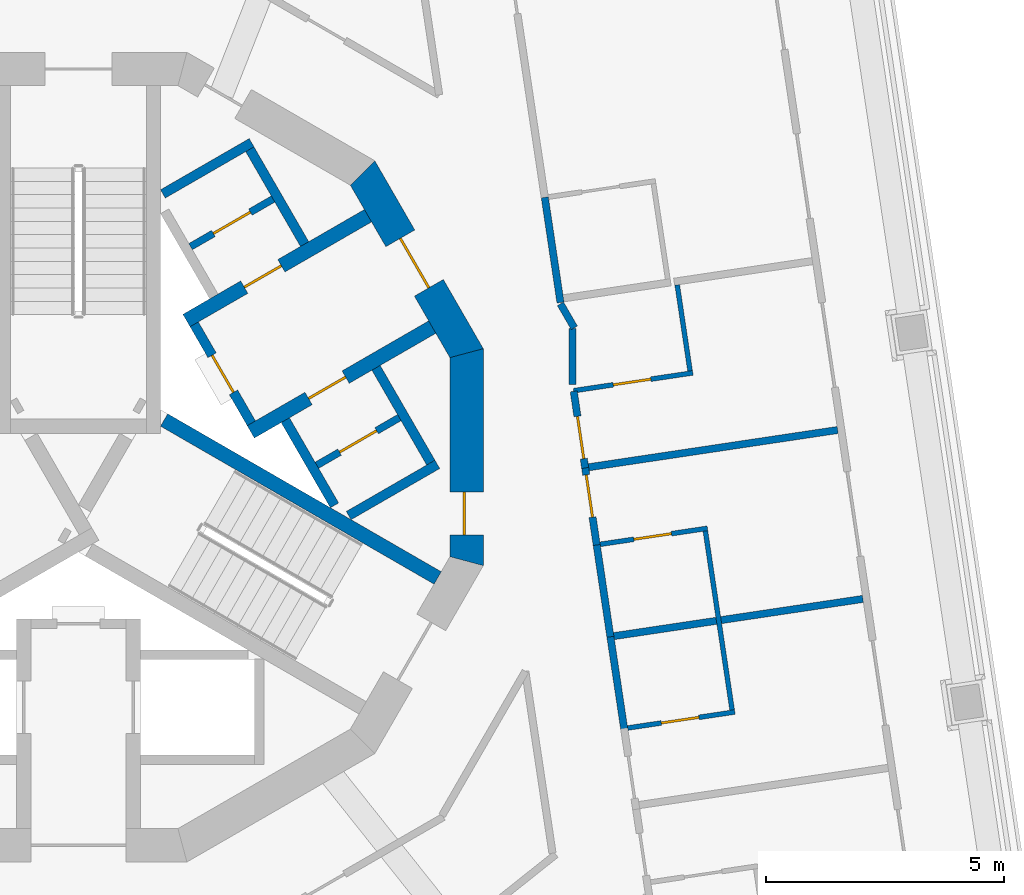
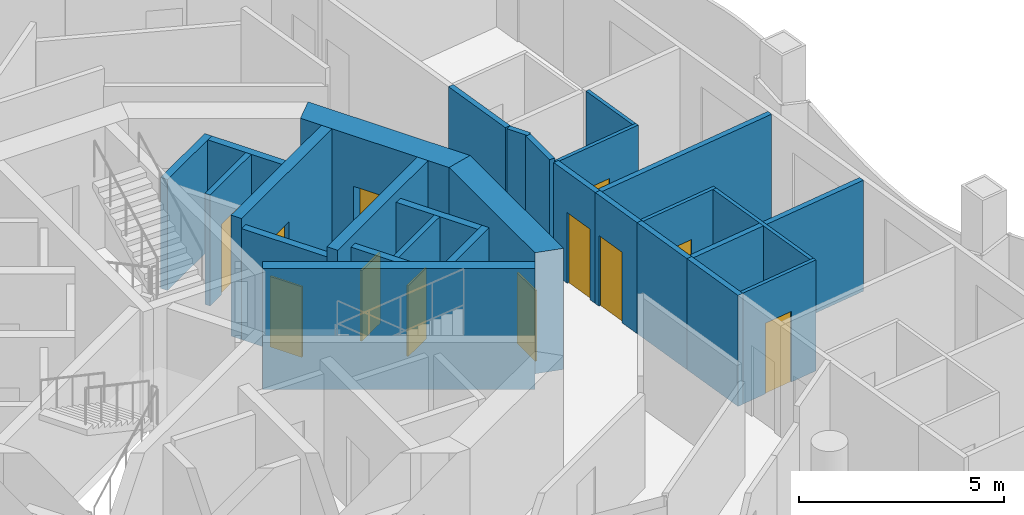
# One storey, part 6 of 16: 27 walls, 12 doors, 12 openings.
"""IFC4 building model written with IfcOpenShell, lengths in metres."""

from ifc_helpers import new_model, si_unit, direction, frame, frame_2d, origin, place, context, subcontext, project, spatial, polyline, rectangle, outline, extrude, material, layer, layer_set, type_object, element, fill, save


model = new_model("IFC4")

# Units and contexts
model_context = context("Model", 3, precision=1e-05, world=origin(), true_north=direction((0.0, 1.0)))
body_context = subcontext(model_context, "Body", "Model", "MODEL_VIEW")
ifc_project = project(units=[si_unit("LENGTHUNIT", "METRE"), si_unit("AREAUNIT", "SQUARE_METRE"), si_unit("VOLUMEUNIT", "CUBIC_METRE"), si_unit("PLANEANGLEUNIT", "RADIAN"), si_unit("MASSUNIT", "GRAM", prefix="KILO")], contexts=[model_context])

# Site, building, storey
site_placement = place(None, origin())
site = spatial("IfcSite", under=ifc_project, at=site_placement, CompositionType="ELEMENT")
building_placement = place(site_placement, origin())
building = spatial("IfcBuilding", under=site, at=building_placement, Name="Trine Commons Tower", CompositionType="ELEMENT")
storey_placement = place(building_placement, frame((0.0, 0.0, 219.60009765625)))
storey = spatial("IfcBuildingStorey", under=building, at=storey_placement, Name="L57", CompositionType="ELEMENT", Elevation=219.60009765625)

# Wall, opening, door
ifc_material_1 = material(Name="Plasterboard partition on steel studs", Category="steel")
ifc_layer_1 = layer(ifc_material_1, 0.14990234375)
ifc_layer_set_1 = layer_set([ifc_layer_1], Name="Plasterboard partition on steel studs")
wall_type_1 = type_object("IfcWallType", Name="Core room partition 150 mm, EI 60", PredefinedType="PARTITIONING", material=ifc_layer_set_1)
wall_1_placement = place(storey_placement, frame((82.35498046875, 66.919921875, 0.0), z_axis=(0.0, 0.0, 1.0), x_axis=(0.866010750942, 0.50002537861, 0.0)))
wall_1 = element("IfcWall", 1, at=wall_1_placement, inside=storey, type_object=wall_type_1, Name="Core room partition L57", PredefinedType="PARTITIONING", context=body_context, shape_type="SweptSolid", body=[
    extrude(rectangle(XDim=2.0, YDim=0.14990234375, at=frame_2d((1.0, 0.0))), origin(), (0.0, 0.0, 1.0), 3.2998046875),
])
opening_1_placement = place(wall_1_placement, frame((0.550537109375, 0.0, 0.0)))
opening_1 = element("IfcOpeningElement", 2, at=opening_1_placement, cuts=wall_1, Name="Opening K15.11", PredefinedType="OPENING", context=body_context, shape_type="SweptSolid", body=[
    extrude(rectangle(XDim=0.89990234375, YDim=2.10009765625, at=frame_2d((0.449951171875, 1.050048828125))), frame((0.0, 0.0849609375, 0.0), z_axis=(0.0, -1.0, 0.0), x_axis=(1.0, 0.0, 0.0)), (0.0, 0.0, 1.0), 0.169921875),
])
ifc_material_2 = material(Name="Steel door leaf, fire-rated", Category="steel")
door_type_1 = type_object("IfcDoorType", Name="Core room door, single leaf 900 x 2100, FD30S", OperationType="SINGLE_SWING_LEFT", PredefinedType="DOOR", material=ifc_material_2)
door_1_placement = place(opening_1_placement, origin())
door_1 = element("IfcDoor", 3, at=door_1_placement, inside=storey, type_object=door_type_1, Name="Door to Pantry L57", OperationType="SINGLE_SWING_RIGHT", OverallHeight=2.10009765625, OverallWidth=0.89990234375, PredefinedType="DOOR", context=body_context, shape_type="SweptSolid", body=[
    extrude(rectangle(XDim=0.89990234375, YDim=2.10009765625, at=frame_2d((0.449951171875, 1.050048828125))), frame((0.0, 0.02490234375, 0.0), z_axis=(0.0, -1.0, 0.0), x_axis=(1.0, 0.0, 0.0)), (0.0, 0.0, 1.0), 0.050048828125),
])
fill(opening_1, door_1)

wall_2_placement = place(storey_placement, frame((85.006103515625, 62.330078125, 0.0), z_axis=(0.0, 0.0, 1.0), x_axis=(0.866010750942, 0.50002537861, 0.0)))
wall_2 = element("IfcWall", 4, at=wall_2_placement, inside=storey, type_object=wall_type_1, Name="Core room partition L57", PredefinedType="PARTITIONING", context=body_context, shape_type="SweptSolid", body=[
    extrude(rectangle(XDim=2.0, YDim=0.14990234375, at=frame_2d((1.0, 0.0))), origin(), (0.0, 0.0, 1.0), 3.2998046875),
])
opening_2_placement = place(wall_2_placement, frame((0.549560546875, 0.0, 0.0)))
opening_2 = element("IfcOpeningElement", 5, at=opening_2_placement, cuts=wall_2, Name="Opening K15.13", PredefinedType="OPENING", context=body_context, shape_type="SweptSolid", body=[
    extrude(rectangle(XDim=0.89990234375, YDim=2.10009765625, at=frame_2d((0.449951171875, 1.050048828125))), frame((0.0, 0.0849609375, 0.0), z_axis=(0.0, -1.0, 0.0), x_axis=(1.0, 0.0, 0.0)), (0.0, 0.0, 1.0), 0.169921875),
])
door_2_placement = place(opening_2_placement, frame((0.89990234375, 0.0, 0.0), z_axis=(0.0, 0.0, 1.0), x_axis=(-1.0, 0.0, 0.0)))
door_2 = element("IfcDoor", 6, at=door_2_placement, inside=storey, type_object=door_type_1, Name="Door to Parcel store L57", OperationType="SINGLE_SWING_LEFT", OverallHeight=2.10009765625, OverallWidth=0.89990234375, PredefinedType="DOOR", context=body_context, shape_type="SweptSolid", body=[
    extrude(rectangle(XDim=0.89990234375, YDim=2.10009765625, at=frame_2d((0.449951171875, 1.050048828125))), frame((0.0, 0.02490234375, 0.0), z_axis=(0.0, -1.0, 0.0), x_axis=(1.0, 0.0, 0.0)), (0.0, 0.0, 1.0), 0.050048828125),
])
fill(opening_2, door_2)

ifc_material_3 = material(Name="Fire-rated gypsum shaft wall system")
ifc_layer_2 = layer(ifc_material_3, 0.199951171875)
ifc_layer_set_2 = layer_set([ifc_layer_2], Name="Fire-rated gypsum shaft wall system")
wall_type_2 = type_object("IfcWallType", Name="Lobby end wall 200 mm, EI 120", PredefinedType="PARTITIONING", material=ifc_layer_set_2)
wall_3_placement = place(storey_placement, frame((83.631103515625, 63.2109375, 0.0), z_axis=(0.0, 0.0, 1.0), x_axis=(-0.50012165622, 0.865955154139, 0.0)))
wall_3 = element("IfcWall", 7, at=wall_3_placement, inside=storey, type_object=wall_type_2, Name="Lobby end wall L57", PredefinedType="PARTITIONING", context=body_context, shape_type="SweptSolid", body=[
    extrude(rectangle(XDim=2.39990234375, YDim=0.199951171875, at=frame_2d((1.199951171875, 0.0))), origin(), (0.0, 0.0, 1.0), 3.2998046875),
])
opening_3_placement = place(wall_3_placement, frame((0.749755859375, 0.0, 0.0)))
opening_3 = element("IfcOpeningElement", 8, at=opening_3_placement, cuts=wall_3, Name="Opening K15.05", PredefinedType="OPENING", context=body_context, shape_type="SweptSolid", body=[
    extrude(rectangle(XDim=0.89990234375, YDim=2.10009765625, at=frame_2d((0.449951171875, 1.050048828125))), frame((0.0, 0.10986328125, 0.0), z_axis=(0.0, -1.0, 0.0), x_axis=(1.0, 0.0, 0.0)), (0.0, 0.0, 1.0), 0.219970703125),
])
door_type_2 = type_object("IfcDoorType", Name="Riser access door, single leaf 900 x 2100, FD60", OperationType="SINGLE_SWING_LEFT", PredefinedType="DOOR", material=ifc_material_2)
door_3_placement = place(opening_3_placement, frame((0.89990234375, 0.0, 0.0), z_axis=(0.0, 0.0, 1.0), x_axis=(-1.0, 0.0, 0.0)))
door_3 = element("IfcDoor", 9, at=door_3_placement, inside=storey, type_object=door_type_2, Name="Riser door, Electrical riser L57", OperationType="SINGLE_SWING_LEFT", OverallHeight=2.10009765625, OverallWidth=0.89990234375, PredefinedType="DOOR", context=body_context, shape_type="SweptSolid", body=[
    extrude(rectangle(XDim=0.89990234375, YDim=2.10009765625, at=frame_2d((0.449951171875, 1.050048828125))), frame((0.0, 0.02490234375, 0.0), z_axis=(0.0, -1.0, 0.0), x_axis=(1.0, 0.0, 0.0)), (0.0, 0.0, 1.0), 0.050048828125),
])
fill(opening_3, door_3)

ifc_material_4 = material(Name="Concrete C60/75", Category="concrete")
ifc_layer_3 = layer(ifc_material_4, 0.300048828125)
ifc_layer_set_3 = layer_set([ifc_layer_3], Name="Concrete C60/75")
wall_type_3 = type_object("IfcWallType", Name="RC shear wall 300 mm, C60/75", PredefinedType="SHEAR", material=ifc_layer_set_3)
wall_4_placement = place(storey_placement, frame((82.26904296875, 65.368896484375, 0.0), z_axis=(0.0, 0.0, 1.0), x_axis=(0.866035918664, 0.499981787252, 0.0)))
wall_4 = element("IfcWall", 10, at=wall_4_placement, inside=storey, type_object=wall_type_3, Name="Core cross wall SWC-05 L57", PredefinedType="SHEAR", context=body_context, shape_type="SweptSolid", body=[
    extrude(rectangle(XDim=4.400634765625, YDim=0.300048828125, at=frame_2d((2.2001953125, 0.0))), origin(), (0.0, 0.0, 1.0), 3.599853515625),
])
opening_4_placement = place(wall_4_placement, frame((1.400390625, 0.0, 0.0)))
opening_4 = element("IfcOpeningElement", 11, at=opening_4_placement, cuts=wall_4, Name="Opening K15.10", PredefinedType="OPENING", context=body_context, shape_type="SweptSolid", body=[
    extrude(rectangle(XDim=0.89990234375, YDim=2.10009765625, at=frame_2d((0.449951171875, 1.050048828125))), frame((0.0, 0.159912109375, 0.0), z_axis=(0.0, -1.0, 0.0), x_axis=(1.0, 0.0, 0.0)), (0.0, 0.0, 1.0), 0.320068359375),
])
door_4_placement = place(opening_4_placement, origin())
door_4 = element("IfcDoor", 12, at=door_4_placement, inside=storey, type_object=door_type_1, Name="Door to Linen store L57", OperationType="SINGLE_SWING_LEFT", OverallHeight=2.10009765625, OverallWidth=0.89990234375, PredefinedType="DOOR", context=body_context, shape_type="SweptSolid", body=[
    extrude(rectangle(XDim=0.89990234375, YDim=2.10009765625, at=frame_2d((0.449951171875, 1.050048828125))), frame((0.0, 0.02490234375, 0.0), z_axis=(0.0, -1.0, 0.0), x_axis=(1.0, 0.0, 0.0)), (0.0, 0.0, 1.0), 0.050048828125),
])
fill(opening_4, door_4)

wall_5_placement = place(storey_placement, frame((83.618896484375, 63.031005859375, 0.0), z_axis=(0.0, 0.0, 1.0), x_axis=(0.866059941101, 0.499940174841, 0.0)))
wall_5 = element("IfcWall", 13, at=wall_5_placement, inside=storey, type_object=wall_type_3, Name="Core cross wall SWC-06 L57", PredefinedType="SHEAR", context=body_context, shape_type="SweptSolid", body=[
    extrude(rectangle(XDim=4.400390625, YDim=0.300048828125, at=frame_2d((2.2001953125, 0.0))), origin(), (0.0, 0.0, 1.0), 3.599853515625),
])
opening_5_placement = place(wall_5_placement, frame((1.400390625, 0.0, 0.0)))
opening_5 = element("IfcOpeningElement", 14, at=opening_5_placement, cuts=wall_5, Name="Opening K15.12", PredefinedType="OPENING", context=body_context, shape_type="SweptSolid", body=[
    extrude(rectangle(XDim=0.89990234375, YDim=2.10009765625, at=frame_2d((0.449951171875, 1.050048828125))), frame((0.0, 0.159912109375, 0.0), z_axis=(0.0, -1.0, 0.0), x_axis=(1.0, 0.0, 0.0)), (0.0, 0.0, 1.0), 0.320068359375),
])
door_5_placement = place(opening_5_placement, frame((0.89990234375, 0.0, 0.0), z_axis=(0.0, 0.0, 1.0), x_axis=(-1.0, 0.0, 0.0)))
door_5 = element("IfcDoor", 15, at=door_5_placement, inside=storey, type_object=door_type_1, Name="Door to Comms room L57", OperationType="SINGLE_SWING_LEFT", OverallHeight=2.10009765625, OverallWidth=0.89990234375, PredefinedType="DOOR", context=body_context, shape_type="SweptSolid", body=[
    extrude(rectangle(XDim=0.89990234375, YDim=2.10009765625, at=frame_2d((0.449951171875, 1.050048828125))), frame((0.0, 0.02490234375, 0.0), z_axis=(0.0, -1.0, 0.0), x_axis=(1.0, 0.0, 0.0)), (0.0, 0.0, 1.0), 0.050048828125),
])
fill(opening_5, door_5)

# Wall
wall_6_placement = place(storey_placement, frame((81.800048828125, 63.280029296875, 0.0), z_axis=(0.0, 0.0, 1.0), x_axis=(0.866009627307, -0.500027324665, 0.0)))
element("IfcWall", 16, at=wall_6_placement, inside=storey, type_object=wall_type_3, Name="Core cross wall SWC-18 L57", PredefinedType="SHEAR", context=body_context, shape_type="SweptSolid", body=[
    extrude(rectangle(XDim=6.631591796875, YDim=0.300048828125, at=frame_2d((3.31591796875, 0.0))), origin(), (0.0, 0.0, 1.0), 3.599853515625),
])

# Wall, opening, door
ifc_layer_4 = layer(ifc_material_4, 0.699951171875)
ifc_layer_set_4 = layer_set([ifc_layer_4], Name="Concrete C60/75")
wall_type_4 = type_object("IfcWallType", Name="RC shear wall 700 mm, C60/75", PredefinedType="SHEAR", material=ifc_layer_set_4)
wall_7_placement = place(storey_placement, frame((88.150146484375, 60.222412109375, 0.0), z_axis=(0.0, 0.0, 1.0), x_axis=(0.0, 1.0, 0.0)))
wall_7 = element("IfcWall", 17, at=wall_7_placement, inside=storey, type_object=wall_type_4, Name="Core wall CWF-01 L57", PredefinedType="SHEAR", context=body_context, shape_type="SweptSolid", body=[
    extrude(outline(polyline([(0.0, -0.35009765625), (4.55517578125, -0.35009765625), (4.36767578125, 0.35009765625), (0.1875, 0.35009765625), (0.0, -0.35009765625)])), origin(), (0.0, 0.0, 1.0), 3.599853515625),
])
opening_6_placement = place(wall_7_placement, frame((0.6416015625, 0.0, 0.0)))
opening_6 = element("IfcOpeningElement", 18, at=opening_6_placement, cuts=wall_7, Name="Opening K15.17", PredefinedType="OPENING", context=body_context, shape_type="SweptSolid", body=[
    extrude(rectangle(XDim=0.89990234375, YDim=2.10009765625, at=frame_2d((0.449951171875, 1.050048828125))), frame((0.0, 0.35986328125, 0.0), z_axis=(0.0, -1.0, 0.0), x_axis=(1.0, 0.0, 0.0)), (0.0, 0.0, 1.0), 0.719970703125),
])
door_6_placement = place(opening_6_placement, origin())
door_6 = element("IfcDoor", 19, at=door_6_placement, inside=storey, type_object=door_type_1, Name="Door to Core WC L57", OperationType="SINGLE_SWING_LEFT", OverallHeight=2.10009765625, OverallWidth=0.89990234375, PredefinedType="DOOR", context=body_context, shape_type="SweptSolid", body=[
    extrude(rectangle(XDim=0.89990234375, YDim=2.10009765625, at=frame_2d((0.449951171875, 1.050048828125))), frame((0.0, 0.0751953125, 0.0), z_axis=(0.0, -1.0, 0.0), x_axis=(1.0, 0.0, 0.0)), (0.0, 0.0, 1.0), 0.050048828125),
])
fill(opening_6, door_6)

wall_8_placement = place(storey_placement, frame((88.197021484375, 64.6025390625, 0.0), z_axis=(0.0, 0.0, 1.0), x_axis=(-0.499983800959, 0.866034756103, 0.0)))
wall_8 = element("IfcWall", 20, at=wall_8_placement, inside=storey, type_object=wall_type_4, Name="Core wall CWF-02 L57", PredefinedType="SHEAR", context=body_context, shape_type="SweptSolid", body=[
    extrude(outline(polyline([(0.0, -0.35009765625), (4.55517578125, -0.35009765625), (4.36767578125, 0.35009765625), (0.1875, 0.35009765625), (0.0, -0.35009765625)])), origin(), (0.0, 0.0, 1.0), 3.599853515625),
])
opening_7_placement = place(wall_8_placement, frame((1.677490234375, 0.0, 0.0)))
opening_7 = element("IfcOpeningElement", 21, at=opening_7_placement, cuts=wall_8, Name="Opening K15.04", PredefinedType="OPENING", context=body_context, shape_type="SweptSolid", body=[
    extrude(rectangle(XDim=1.199951171875, YDim=2.10009765625, at=frame_2d((0.60009765625, 1.050048828125))), frame((0.0, 0.35986328125, 0.0), z_axis=(0.0, -1.0, 0.0), x_axis=(1.0, 0.0, 0.0)), (0.0, 0.0, 1.0), 0.719970703125),
])
ifc_material_5 = material(Name="Steel door leaves, fire-rated", Category="steel")
door_type_3 = type_object("IfcDoorType", Name="Lobby door, double leaf 1200 x 2100, FD60", OperationType="DOUBLE_DOOR_SINGLE_SWING", PredefinedType="DOOR", material=ifc_material_5)
door_7_placement = place(opening_7_placement, origin())
door_7 = element("IfcDoor", 22, at=door_7_placement, inside=storey, type_object=door_type_3, Name="Lobby door, Core lounge L57", OperationType="DOUBLE_DOOR_SINGLE_SWING", OverallHeight=2.10009765625, OverallWidth=1.199951171875, PredefinedType="DOOR", context=body_context, shape_type="SweptSolid", body=[
    extrude(rectangle(XDim=1.199951171875, YDim=2.10009765625, at=frame_2d((0.60009765625, 1.050048828125))), frame((0.0, 0.02490234375, 0.0), z_axis=(0.0, -1.0, 0.0), x_axis=(1.0, 0.0, 0.0)), (0.0, 0.0, 1.0), 0.050048828125),
])
fill(opening_7, door_7)

# Walls
ifc_layer_5 = layer(ifc_material_3, 0.199951171875)
ifc_layer_set_5 = layer_set([ifc_layer_5], Name="Fire-rated gypsum shaft wall system")
wall_type_5 = type_object("IfcWallType", Name="Shaft wall 200 mm, EI 120", PredefinedType="PARTITIONING", material=ifc_layer_set_5)
wall_9_placement = place(storey_placement, frame((81.77490234375, 68.028076171875, 0.0), z_axis=(0.0, 0.0, 1.0), x_axis=(0.866130725101, 0.499817533742, 0.0)))
element("IfcWall", 23, at=wall_9_placement, inside=storey, type_object=wall_type_5, Name="Shaft wall L57", PredefinedType="PARTITIONING", context=body_context, shape_type="SweptSolid", body=[
    extrude(rectangle(XDim=2.148681640625, YDim=0.199951171875, at=frame_2d((1.07421875, 0.0))), origin(), (0.0, 0.0, 1.0), 3.2998046875),
])
wall_10_placement = place(storey_placement, frame((84.343994140625, 63.27587890625, 0.0), z_axis=(0.0, 0.0, 1.0), x_axis=(0.500271688072, -0.86586848777, 0.0)))
element("IfcWall", 24, at=wall_10_placement, inside=storey, type_object=wall_type_5, Name="Shaft wall L57", PredefinedType="PARTITIONING", context=body_context, shape_type="SweptSolid", body=[
    extrude(rectangle(XDim=2.064697265625, YDim=0.199951171875, at=frame_2d((1.0322265625, 0.0))), origin(), (0.0, 0.0, 1.0), 3.2998046875),
])
wall_11_placement = place(storey_placement, frame((84.7490234375, 66.97412109375, 0.0), z_axis=(0.0, 0.0, 1.0), x_axis=(-0.500136062276, 0.86594683394, 0.0)))
element("IfcWall", 25, at=wall_11_placement, inside=storey, type_object=wall_type_5, Name="Shaft wall L57", PredefinedType="PARTITIONING", context=body_context, shape_type="SweptSolid", body=[
    extrude(rectangle(XDim=2.299072265625, YDim=0.199951171875, at=frame_2d((1.1494140625, 0.0))), origin(), (0.0, 0.0, 1.0), 3.2998046875),
])
wall_12_placement = place(storey_placement, frame((85.675048828125, 61.27392578125, 0.0), z_axis=(0.0, 0.0, 1.0), x_axis=(0.866102336459, 0.499866725018, 0.0)))
element("IfcWall", 26, at=wall_12_placement, inside=storey, type_object=wall_type_5, Name="Shaft wall L57", PredefinedType="PARTITIONING", context=body_context, shape_type="SweptSolid", body=[
    extrude(rectangle(XDim=2.1484375, YDim=0.199951171875, at=frame_2d((1.07421875, 0.0))), origin(), (0.0, 0.0, 1.0), 3.2998046875),
])
wall_13_placement = place(storey_placement, frame((86.2490234375, 64.3759765625, 0.0), z_axis=(0.0, 0.0, 1.0), x_axis=(0.500136062276, -0.86594683394, 0.0)))
element("IfcWall", 27, at=wall_13_placement, inside=storey, type_object=wall_type_5, Name="Shaft wall L57", PredefinedType="PARTITIONING", context=body_context, shape_type="SweptSolid", body=[
    extrude(rectangle(XDim=2.299072265625, YDim=0.199951171875, at=frame_2d((1.1494140625, 0.0))), origin(), (0.0, 0.0, 1.0), 3.2998046875),
])
ifc_material_6 = material(Name="Gypsum plasterboard on steel stud", Category="steel")
ifc_layer_6 = layer(ifc_material_6, 0.14990234375)
ifc_layer_set_6 = layer_set([ifc_layer_6], Name="Gypsum plasterboard on steel stud")
wall_type_6 = type_object("IfcWallType", Name="Unit and corridor wall 150 mm, EI 60", PredefinedType="PARTITIONING", material=ifc_layer_set_6)
wall_14_placement = place(storey_placement, frame((89.7919921875, 67.9541015625, 0.0), z_axis=(0.0, 0.0, 1.0), x_axis=(0.147832480438, -0.989012415356, 0.0)))
element("IfcWall", 28, at=wall_14_placement, inside=storey, type_object=wall_type_6, Name="Partition 096", PredefinedType="PARTITIONING", context=body_context, shape_type="SweptSolid", body=[
    extrude(rectangle(XDim=2.232666015625, YDim=0.14990234375, at=frame_2d((1.1162109375, 0.0))), origin(), (0.0, 0.0, 1.0), 3.2998046875),
])
wall_15_placement = place(storey_placement, frame((90.12109375, 65.718994140625, 0.0), z_axis=(0.0, 0.0, 1.0), x_axis=(0.500738673164, -0.865598510395, 0.0)))
element("IfcWall", 29, at=wall_15_placement, inside=storey, type_object=wall_type_6, Name="Partition 098", PredefinedType="PARTITIONING", context=body_context, shape_type="SweptSolid", body=[
    extrude(rectangle(XDim=0.58203125, YDim=0.14990234375, at=frame_2d((0.291015625, 0.0))), origin(), (0.0, 0.0, 1.0), 3.2998046875),
])
wall_16_placement = place(storey_placement, frame((90.375, 64.02294921875, 0.0), z_axis=(0.0, 0.0, 1.0), x_axis=(0.0, 1.0, 0.0)))
element("IfcWall", 30, at=wall_16_placement, inside=storey, type_object=wall_type_6, Name="Partition 100", PredefinedType="PARTITIONING", context=body_context, shape_type="SweptSolid", body=[
    extrude(rectangle(XDim=1.18212890625, YDim=0.14990234375, at=frame_2d((0.591064453125, 0.0))), origin(), (0.0, 0.0, 1.0), 3.2998046875),
])

# Wall, opening, door
wall_17_placement = place(storey_placement, frame((90.39990234375, 63.882080078125, 0.0), z_axis=(0.0, 0.0, 1.0), x_axis=(0.147511205878, -0.989060384476, 0.0)))
wall_17 = element("IfcWall", 31, at=wall_17_placement, inside=storey, type_object=wall_type_6, Name="Partition 102", PredefinedType="PARTITIONING", context=body_context, shape_type="SweptSolid", body=[
    extrude(rectangle(XDim=1.626953125, YDim=0.14990234375, at=frame_2d((0.8134765625, 0.0))), origin(), (0.0, 0.0, 1.0), 3.2998046875),
])
opening_8_placement = place(wall_17_placement, frame((0.530517578125, 0.0, 0.0)))
opening_8 = element("IfcOpeningElement", 32, at=opening_8_placement, cuts=wall_17, Name="Opening D-6C15", PredefinedType="OPENING", context=body_context, shape_type="SweptSolid", body=[
    extrude(rectangle(XDim=0.89990234375, YDim=2.10009765625, at=frame_2d((0.449951171875, 1.050048828125))), frame((0.0, 0.0849609375, 0.0), z_axis=(0.0, -1.0, 0.0), x_axis=(1.0, 0.0, 0.0)), (0.0, 0.0, 1.0), 0.169921875),
])
ifc_material_7 = material(Name="Timber fire door set", Category="wood")
door_type_4 = type_object("IfcDoorType", Name="Bedroom door 900 x 2100, FD30S", OperationType="NOTDEFINED", PredefinedType="DOOR", material=ifc_material_7)
door_8_placement = place(opening_8_placement, origin())
door_8 = element("IfcDoor", 33, at=door_8_placement, inside=storey, type_object=door_type_4, Name="Door D-6C15", OperationType="SINGLE_SWING_RIGHT", OverallHeight=2.10009765625, OverallWidth=0.89990234375, PredefinedType="DOOR", context=body_context, shape_type="SweptSolid", body=[
    extrude(rectangle(XDim=0.89990234375, YDim=2.10009765625, at=frame_2d((0.449951171875, 1.050048828125))), frame((0.0, 0.02490234375, 0.0), z_axis=(0.0, -1.0, 0.0), x_axis=(1.0, 0.0, 0.0)), (0.0, 0.0, 1.0), 0.050048828125),
])
fill(opening_8, door_8)

wall_18_placement = place(storey_placement, frame((90.6279296875, 62.355224609375, 0.0), z_axis=(0.0, 0.0, 1.0), x_axis=(0.147840420569, -0.989011228473, 0.0)))
wall_18 = element("IfcWall", 34, at=wall_18_placement, inside=storey, type_object=wall_type_6, Name="Partition 104", PredefinedType="PARTITIONING", context=body_context, shape_type="SweptSolid", body=[
    extrude(rectangle(XDim=1.718994140625, YDim=0.14990234375, at=frame_2d((0.859375, 0.0))), origin(), (0.0, 0.0, 1.0), 3.2998046875),
])
opening_9_placement = place(wall_18_placement, frame((0.22900390625, 0.0, 0.0)))
opening_9 = element("IfcOpeningElement", 35, at=opening_9_placement, cuts=wall_18, Name="Opening D-6C16", PredefinedType="OPENING", context=body_context, shape_type="SweptSolid", body=[
    extrude(rectangle(XDim=0.89990234375, YDim=2.10009765625, at=frame_2d((0.449951171875, 1.050048828125))), frame((0.0, 0.0849609375, 0.0), z_axis=(0.0, -1.0, 0.0), x_axis=(1.0, 0.0, 0.0)), (0.0, 0.0, 1.0), 0.169921875),
])
door_9_placement = place(opening_9_placement, origin())
door_9 = element("IfcDoor", 36, at=door_9_placement, inside=storey, type_object=door_type_4, Name="Door D-6C16", OperationType="SINGLE_SWING_LEFT", OverallHeight=2.10009765625, OverallWidth=0.89990234375, PredefinedType="DOOR", context=body_context, shape_type="SweptSolid", body=[
    extrude(rectangle(XDim=0.89990234375, YDim=2.10009765625, at=frame_2d((0.449951171875, 1.050048828125))), frame((0.0, 0.02490234375, 0.0), z_axis=(0.0, -1.0, 0.0), x_axis=(1.0, 0.0, 0.0)), (0.0, 0.0, 1.0), 0.050048828125),
])
fill(opening_9, door_9)

# Walls
wall_19_placement = place(storey_placement, frame((90.714111328125, 62.2880859375, 0.0), z_axis=(0.0, 0.0, 1.0), x_axis=(0.988994889639, 0.147949681543, 0.0)))
element("IfcWall", 37, at=wall_19_placement, inside=storey, type_object=wall_type_6, Name="Partition 105", PredefinedType="PARTITIONING", context=body_context, shape_type="SweptSolid", body=[
    extrude(rectangle(XDim=5.285400390625, YDim=0.14990234375, at=frame_2d((2.642578125, 0.0))), origin(), (0.0, 0.0, 1.0), 3.2998046875),
])
wall_20_placement = place(storey_placement, frame((90.881103515625, 60.6630859375, 0.0), z_axis=(0.0, 0.0, 1.0), x_axis=(0.147547543847, -0.989054964249, 0.0)))
element("IfcWall", 38, at=wall_20_placement, inside=storey, type_object=wall_type_6, Name="Partition 106", PredefinedType="PARTITIONING", context=body_context, shape_type="SweptSolid", body=[
    extrude(rectangle(XDim=1.95751953125, YDim=0.14990234375, at=frame_2d((0.978759765625, 0.0))), origin(), (0.0, 0.0, 1.0), 3.2998046875),
])
wall_21_placement = place(storey_placement, frame((91.1689453125, 58.735107421875, 0.0), z_axis=(0.0, 0.0, 1.0), x_axis=(0.148037335564, -0.988981772976, 0.0)))
element("IfcWall", 39, at=wall_21_placement, inside=storey, type_object=wall_type_6, Name="Partition 108", PredefinedType="PARTITIONING", context=body_context, shape_type="SweptSolid", body=[
    extrude(rectangle(XDim=2.0087890625, YDim=0.14990234375, at=frame_2d((1.00439453125, 0.0))), origin(), (0.0, 0.0, 1.0), 3.2998046875),
])
wall_22_placement = place(storey_placement, frame((91.244140625, 58.7421875, 0.0), z_axis=(0.0, 0.0, 1.0), x_axis=(0.98902190879, 0.147768954566, 0.0)))
element("IfcWall", 40, at=wall_22_placement, inside=storey, type_object=wall_type_6, Name="Partition 109", PredefinedType="PARTITIONING", context=body_context, shape_type="SweptSolid", body=[
    extrude(rectangle(XDim=5.285400390625, YDim=0.14990234375, at=frame_2d((2.642578125, 0.0))), origin(), (0.0, 0.0, 1.0), 3.2998046875),
])

# Wall, opening, door
ifc_layer_7 = layer(ifc_material_6, 0.10009765625)
ifc_layer_set_7 = layer_set([ifc_layer_7], Name="Gypsum plasterboard on steel stud")
wall_type_7 = type_object("IfcWallType", Name="Unit partition 100 mm, no rating", PredefinedType="PARTITIONING", material=ifc_layer_set_7)
wall_23_placement = place(storey_placement, frame((90.39794921875, 63.89501953125, 0.0), z_axis=(0.0, 0.0, 1.0), x_axis=(0.988991508707, 0.147972280192, 0.0)))
wall_23 = element("IfcWall", 41, at=wall_23_placement, inside=storey, type_object=wall_type_7, Name="Partition 101", PredefinedType="PARTITIONING", context=body_context, shape_type="SweptSolid", body=[
    extrude(rectangle(XDim=2.529296875, YDim=0.10009765625, at=frame_2d((1.2646484375, 0.0))), origin(), (0.0, 0.0, 1.0), 3.2998046875),
])
opening_10_placement = place(wall_23_placement, frame((0.839599609375, 0.0, 0.0)))
opening_10 = element("IfcOpeningElement", 42, at=opening_10_placement, cuts=wall_23, Name="Opening D-6C38", PredefinedType="OPENING", context=body_context, shape_type="SweptSolid", body=[
    extrude(rectangle(XDim=0.800048828125, YDim=2.10009765625, at=frame_2d((0.39990234375, 1.050048828125))), frame((0.0, 0.06005859375, 0.0), z_axis=(0.0, -1.0, 0.0), x_axis=(1.0, 0.0, 0.0)), (0.0, 0.0, 1.0), 0.1201171875),
])
ifc_material_8 = material(Name="Painted timber", Category="wood")
door_type_5 = type_object("IfcDoorType", Name="Internal door 800 x 2100, NOT RATED", OperationType="NOTDEFINED", PredefinedType="DOOR", material=ifc_material_8)
door_10_placement = place(opening_10_placement, frame((0.800048828125, 0.0, 0.0), z_axis=(0.0, 0.0, 1.0), x_axis=(-1.0, 0.0, 0.0)))
door_10 = element("IfcDoor", 43, at=door_10_placement, inside=storey, type_object=door_type_5, Name="Door D-6C38", OperationType="SINGLE_SWING_RIGHT", OverallHeight=2.10009765625, OverallWidth=0.800048828125, PredefinedType="DOOR", context=body_context, shape_type="SweptSolid", body=[
    extrude(rectangle(XDim=0.800048828125, YDim=2.10009765625, at=frame_2d((0.39990234375, 1.050048828125))), frame((0.0, 0.02490234375, 0.0), z_axis=(0.0, -1.0, 0.0), x_axis=(1.0, 0.0, 0.0)), (0.0, 0.0, 1.0), 0.050048828125),
])
fill(opening_10, door_10)

wall_24_placement = place(storey_placement, frame((90.956298828125, 60.670166015625, 0.0), z_axis=(0.0, 0.0, 1.0), x_axis=(0.989023546454, 0.147757993216, 0.0)))
wall_24 = element("IfcWall", 44, at=wall_24_placement, inside=storey, type_object=wall_type_7, Name="Partition 107", PredefinedType="PARTITIONING", context=body_context, shape_type="SweptSolid", body=[
    extrude(rectangle(XDim=2.275146484375, YDim=0.10009765625, at=frame_2d((1.1376953125, 0.0))), origin(), (0.0, 0.0, 1.0), 3.2998046875),
])
opening_11_placement = place(wall_24_placement, frame((0.712646484375, 0.0, 0.0)))
opening_11 = element("IfcOpeningElement", 45, at=opening_11_placement, cuts=wall_24, Name="Opening D-6C39", PredefinedType="OPENING", context=body_context, shape_type="SweptSolid", body=[
    extrude(rectangle(XDim=0.800048828125, YDim=2.10009765625, at=frame_2d((0.39990234375, 1.050048828125))), frame((0.0, 0.06005859375, 0.0), z_axis=(0.0, -1.0, 0.0), x_axis=(1.0, 0.0, 0.0)), (0.0, 0.0, 1.0), 0.1201171875),
])
door_11_placement = place(opening_11_placement, origin())
door_11 = element("IfcDoor", 46, at=door_11_placement, inside=storey, type_object=door_type_5, Name="Door D-6C39", OperationType="SINGLE_SWING_LEFT", OverallHeight=2.10009765625, OverallWidth=0.800048828125, PredefinedType="DOOR", context=body_context, shape_type="SweptSolid", body=[
    extrude(rectangle(XDim=0.800048828125, YDim=2.10009765625, at=frame_2d((0.39990234375, 1.050048828125))), frame((0.0, 0.02490234375, 0.0), z_axis=(0.0, -1.0, 0.0), x_axis=(1.0, 0.0, 0.0)), (0.0, 0.0, 1.0), 0.050048828125),
])
fill(opening_11, door_11)

wall_25_placement = place(storey_placement, frame((91.5322265625, 56.81298828125, 0.0), z_axis=(0.0, 0.0, 1.0), x_axis=(0.989007860101, 0.147862952286, 0.0)))
wall_25 = element("IfcWall", 47, at=wall_25_placement, inside=storey, type_object=wall_type_7, Name="Partition 110", PredefinedType="PARTITIONING", context=body_context, shape_type="SweptSolid", body=[
    extrude(rectangle(XDim=2.275146484375, YDim=0.10009765625, at=frame_2d((1.1376953125, 0.0))), origin(), (0.0, 0.0, 1.0), 3.2998046875),
])
opening_12_placement = place(wall_25_placement, frame((0.712646484375, 0.0, 0.0)))
opening_12 = element("IfcOpeningElement", 48, at=opening_12_placement, cuts=wall_25, Name="Opening D-6C40", PredefinedType="OPENING", context=body_context, shape_type="SweptSolid", body=[
    extrude(rectangle(XDim=0.800048828125, YDim=2.10009765625, at=frame_2d((0.39990234375, 1.050048828125))), frame((0.0, 0.06005859375, 0.0), z_axis=(0.0, -1.0, 0.0), x_axis=(1.0, 0.0, 0.0)), (0.0, 0.0, 1.0), 0.1201171875),
])
door_12_placement = place(opening_12_placement, frame((0.800048828125, 0.0, 0.0), z_axis=(0.0, 0.0, 1.0), x_axis=(-1.0, 0.0, 0.0)))
door_12 = element("IfcDoor", 49, at=door_12_placement, inside=storey, type_object=door_type_5, Name="Door D-6C40", OperationType="SINGLE_SWING_RIGHT", OverallHeight=2.10009765625, OverallWidth=0.800048828125, PredefinedType="DOOR", context=body_context, shape_type="SweptSolid", body=[
    extrude(rectangle(XDim=0.800048828125, YDim=2.10009765625, at=frame_2d((0.39990234375, 1.050048828125))), frame((0.0, 0.02490234375, 0.0), z_axis=(0.0, -1.0, 0.0), x_axis=(1.0, 0.0, 0.0)), (0.0, 0.0, 1.0), 0.050048828125),
])
fill(opening_12, door_12)

# Walls
wall_26_placement = place(storey_placement, frame((92.572998046875, 66.11572265625, 0.0), z_axis=(0.0, 0.0, 1.0), x_axis=(0.147751431332, -0.989024526763, 0.0)))
element("IfcWall", 50, at=wall_26_placement, inside=storey, type_object=wall_type_7, Name="Partition 120", PredefinedType="PARTITIONING", context=body_context, shape_type="SweptSolid", body=[
    extrude(rectangle(XDim=1.82421875, YDim=0.10009765625, at=frame_2d((0.912109375, 0.0))), origin(), (0.0, 0.0, 1.0), 3.2998046875),
])
wall_27_placement = place(storey_placement, frame((93.164306640625, 60.949462890625, 0.0), z_axis=(0.0, 0.0, 1.0), x_axis=(0.147715184464, -0.989029941043, 0.0)))
element("IfcWall", 51, at=wall_27_placement, inside=storey, type_object=wall_type_7, Name="Partition 122", PredefinedType="PARTITIONING", context=body_context, shape_type="SweptSolid", body=[
    extrude(rectangle(XDim=3.7998046875, YDim=0.10009765625, at=frame_2d((1.89990234375, 0.0))), origin(), (0.0, 0.0, 1.0), 3.2998046875),
])

save(model, "model.ifc")
